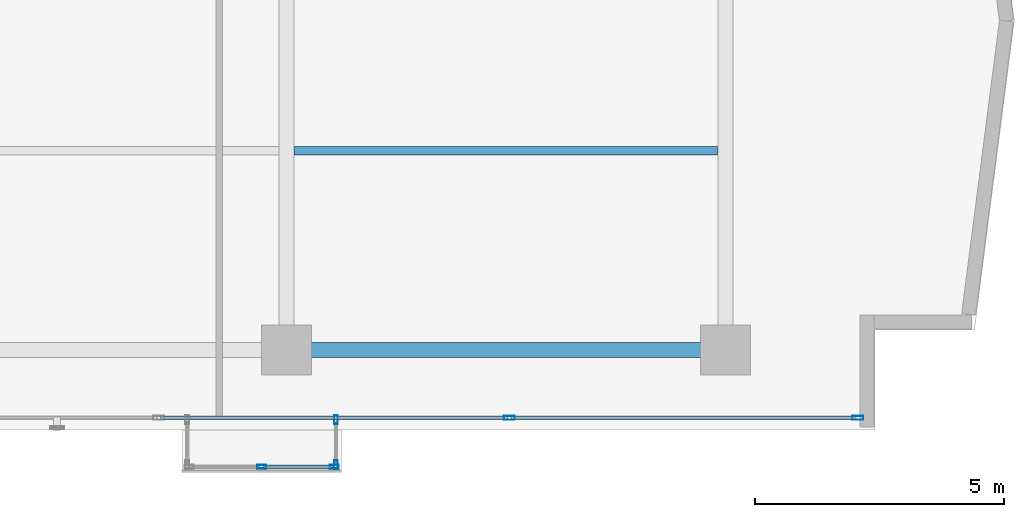
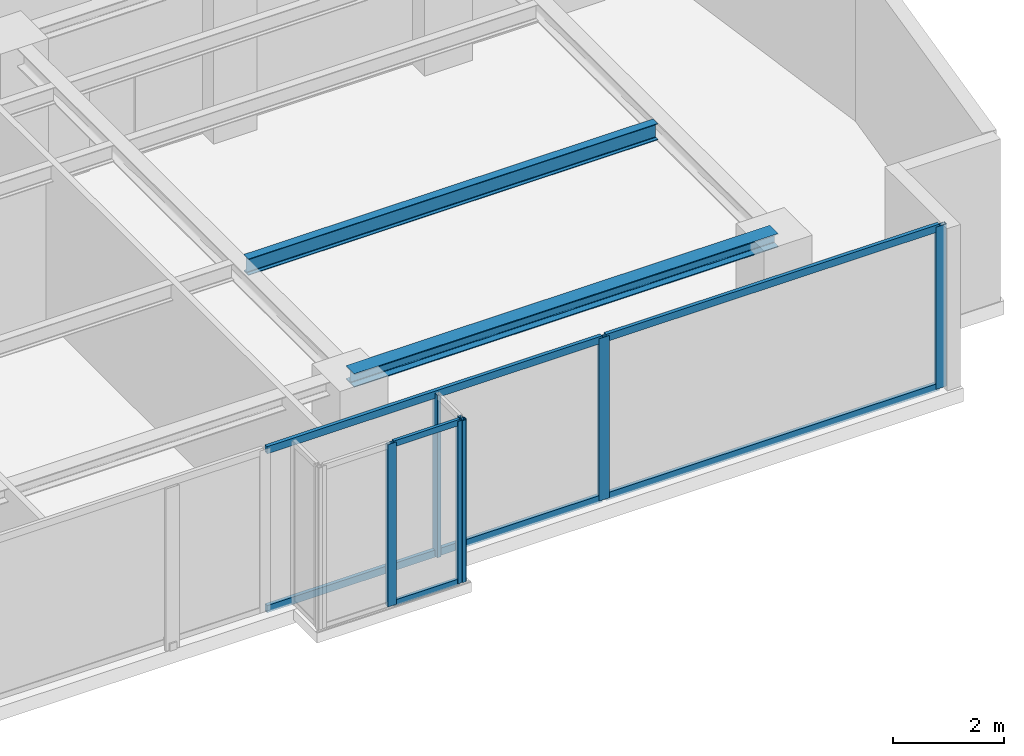
# One storey, part 11 of 25: 12 members, 2 beams, 3 elements without a shape of their own.
"""IFC4 building model written with IfcOpenShell, lengths in metres."""

from ifc_helpers import new_model, si_unit, direction, frame, origin, origin_with_axes, origin_2d, place, context, subcontext, project, spatial, hollow_rectangle, i_section, extrude, source, transform, mapped, material, layer, layer_set, material_profile, profile_set, type_object, element, aggregate, save


model = new_model("IFC4")

# Units and contexts
model_context = context("Model", 3, precision=1e-05, world=origin(), true_north=direction((0.0, 1.0)))
body_context = subcontext(model_context, "Body", "Model", "MODEL_VIEW")
ifc_project = project(units=[si_unit("LENGTHUNIT", "METRE"), si_unit("AREAUNIT", "SQUARE_METRE"), si_unit("VOLUMEUNIT", "CUBIC_METRE"), si_unit("PLANEANGLEUNIT", "RADIAN"), si_unit("MASSUNIT", "GRAM", prefix="KILO")], contexts=[model_context])

# Site, building, storey
site_placement = place(None, origin())
site = spatial("IfcSite", under=ifc_project, at=site_placement, CompositionType="ELEMENT")
building_placement = place(site_placement, origin())
building = spatial("IfcBuilding", under=site, at=building_placement, Name="Kolvaren Waterfront Exchange", CompositionType="ELEMENT")
storey_placement = place(building_placement, frame((0.0, 0.0, 223.5)))
storey = spatial("IfcBuildingStorey", under=building, at=storey_placement, Name="L57", CompositionType="ELEMENT", Elevation=223.5)

# Beams
ifc_material_1 = material(Name="Steel S355", Category="steel")
ifc_material_profile_1 = material_profile(ifc_material_1, i_section(OverallWidth=0.300048828125, OverallDepth=0.300048828125, WebThickness=0.010986328125, FlangeThickness=0.01904296875, FilletRadius=0.027099609375, at=origin_2d()), Name="HEB300")
ifc_profile_set_1 = profile_set([ifc_material_profile_1], Name="Steel S355")
beam_type_1 = type_object("IfcBeamType", Name="STR-BM-HEB300", PredefinedType="SPANDREL", material=ifc_profile_set_1)
beam_1_placement = place(storey_placement, frame((36.800048828125, 5.199951171875, 3.409912109375), z_axis=(1.0, 0.0, 0.0), x_axis=(0.0, 1.0, 0.0)))
element("IfcBeam", 1, at=beam_1_placement, inside=storey, type_object=beam_type_1, Name="L57 east-arm spandrel S3", PredefinedType="SPANDREL", context=body_context, shape_type="SweptSolid", body=[
    extrude(i_section(OverallWidth=0.300048828125, OverallDepth=0.300048828125, WebThickness=0.010986328125, FlangeThickness=0.01904296875, FilletRadius=0.027099609375, at=origin_2d()), origin(), (0.0, 0.0, 1.0), 8.800048828125),
])
ifc_material_profile_2 = material_profile(ifc_material_1, i_section(OverallWidth=0.169921875, OverallDepth=0.360107421875, WebThickness=0.008056640625, FlangeThickness=0.0126953125, FilletRadius=0.01806640625, at=origin_2d()), Name="IPE360")
ifc_profile_set_2 = profile_set([ifc_material_profile_2], Name="Steel S355")
beam_type_2 = type_object("IfcBeamType", Name="STR-BM-IPE360", PredefinedType="JOIST", material=ifc_profile_set_2)
beam_2_placement = place(storey_placement, frame((36.951904296875, 9.199951171875, 3.3798828125), z_axis=(1.0, 0.0, 0.0), x_axis=(0.0, 1.0, 0.0)))
element("IfcBeam", 2, at=beam_2_placement, inside=storey, type_object=beam_type_2, Name="L57 east-arm composite joist 3B", PredefinedType="JOIST", context=body_context, shape_type="SweptSolid", body=[
    extrude(i_section(OverallWidth=0.169921875, OverallDepth=0.360107421875, WebThickness=0.008056640625, FlangeThickness=0.0126953125, FilletRadius=0.01806640625, at=origin_2d()), origin(), (0.0, 0.0, 1.0), 8.49609375),
])

# Curtain wall, members
ifc_material_2 = material(Name="Anodised bronze aluminium 6063-T6", Category="aluminium")
ifc_layer_1 = layer(ifc_material_2, 0.219970703125, Name="Anodised bronze aluminium 6063-T6")
ifc_layer_set_1 = layer_set([ifc_layer_1], Name="Anodised bronze aluminium 6063-T6")
curtain_wall_type_1 = type_object("IfcCurtainWallType", Name="ARC-CW-SYS3", PredefinedType="USERDEFINED", material=ifc_layer_set_1)
curtain_wall_1_placement = place(storey_placement, origin())
curtain_wall_1 = element("IfcCurtainWall", 3, at=curtain_wall_1_placement, inside=storey, type_object=curtain_wall_type_1, Name="L57 stick curtain wall CW3 (CW-L57-BOX)", ObjectType="STICK CURTAIN WALL", PredefinedType="USERDEFINED")
ifc_material_profile_3 = material_profile(ifc_material_2, hollow_rectangle(XDim=0.06494140625, YDim=0.1298828125, WallThickness=0.00390625, at=origin_2d()), Name="ALU-TRN-130x65x4")
ifc_profile_set_3 = profile_set([ifc_material_profile_3], Name="Anodised bronze aluminium 6063-T6")
member_type_1 = type_object("IfcMemberType", Name="ARC-CWT-130", PredefinedType="USERDEFINED", material=ifc_profile_set_3)
shared_shape_1 = source(origin_with_axes(), body_context, "Body", "SweptSolid", [
    extrude(hollow_rectangle(XDim=0.06494140625, YDim=0.1298828125, WallThickness=0.00390625, at=origin_2d()), origin(), (0.0, 0.0, 1.0), 1.377685546875),
])
member_1_placement = place(storey_placement, frame((36.33740234375, 2.860107421875, 0.032470703125), z_axis=(1.0, 0.0, 0.0), x_axis=(0.0, 1.0, 0.0)))
member_1 = element("IfcMember", 4, at=member_1_placement, type_object=member_type_1, Name="CW3 transom 2.1", ObjectType="TRANSOM", PredefinedType="USERDEFINED", context=body_context, shape_type="MappedRepresentation", body=[
    mapped(shared_shape_1, transform((0.0, 0.0, 0.0), x_axis=(1.0, 0.0, 0.0), y_axis=(0.0, 1.0, 0.0), z_axis=(0.0, 0.0, 1.0), scale=1.0)),
])
member_2_placement = place(storey_placement, frame((36.33740234375, 2.860107421875, 3.527587890625), z_axis=(1.0, 0.0, 0.0), x_axis=(0.0, 1.0, 0.0)))
member_2 = element("IfcMember", 5, at=member_2_placement, type_object=member_type_1, Name="CW3 transom 2.2", ObjectType="TRANSOM", PredefinedType="USERDEFINED", context=body_context, shape_type="MappedRepresentation", body=[
    mapped(shared_shape_1, transform((0.0, 0.0, 0.0), x_axis=(1.0, 0.0, 0.0), y_axis=(0.0, 1.0, 0.0), z_axis=(0.0, 0.0, 1.0), scale=1.0)),
])
ifc_material_profile_4 = material_profile(ifc_material_2, hollow_rectangle(XDim=0.074951171875, YDim=0.179931640625, WallThickness=0.00439453125, at=origin_2d()), Name="ALU-MUL-180x75x4.5")
ifc_profile_set_4 = profile_set([ifc_material_profile_4], Name="Anodised bronze aluminium 6063-T6")
member_type_2 = type_object("IfcMemberType", Name="ARC-CWM-180", PredefinedType="MULLION", material=ifc_profile_set_4)
shared_shape_2 = source(origin_with_axes(), body_context, "Body", "SweptSolid", [
    extrude(hollow_rectangle(XDim=0.074951171875, YDim=0.179931640625, WallThickness=0.00439453125, at=origin_2d()), origin(), (0.0, 0.0, 1.0), 3.56005859375),
])
member_3_placement = place(storey_placement, frame((36.300048828125, 2.860107421875, 0.0), z_axis=(0.0, 0.0, 1.0), x_axis=(0.0, 1.0, 0.0)))
member_3 = element("IfcMember", 6, at=member_3_placement, type_object=member_type_2, Name="CW3 mullion 2", PredefinedType="MULLION", context=body_context, shape_type="MappedRepresentation", body=[
    mapped(shared_shape_2, transform((0.0, 0.0, 0.0), x_axis=(1.0, 0.0, 0.0), y_axis=(0.0, 1.0, 0.0), z_axis=(0.0, 0.0, 1.0), scale=1.0)),
])
member_4_placement = place(storey_placement, frame((37.75244140625, 2.860107421875, 0.0), z_axis=(0.0, 0.0, 1.0), x_axis=(0.0, 1.0, 0.0)))
member_4 = element("IfcMember", 7, at=member_4_placement, type_object=member_type_2, Name="CW3 mullion 3", PredefinedType="MULLION", context=body_context, shape_type="MappedRepresentation", body=[
    mapped(shared_shape_2, transform((0.0, 0.0, 0.0), x_axis=(1.0, 0.0, 0.0), y_axis=(0.0, 1.0, 0.0), z_axis=(0.0, 0.0, 1.0), scale=1.0)),
])
aggregate(curtain_wall_1, [member_3, member_4, member_1, member_2])

curtain_wall_2_placement = place(storey_placement, origin())
curtain_wall_2 = element("IfcCurtainWall", 8, at=curtain_wall_2_placement, inside=storey, type_object=curtain_wall_type_1, Name="L57 stick curtain wall CW3 (CW-L57-BOX-E)", ObjectType="STICK CURTAIN WALL", PredefinedType="USERDEFINED")
member_5_placement = place(storey_placement, frame((37.7900390625, 2.8974609375, 0.0), z_axis=(0.0, 0.0, 1.0), x_axis=(-1.0, 0.0, 0.0)))
member_5 = element("IfcMember", 9, at=member_5_placement, type_object=member_type_2, Name="CW3 mullion 1", PredefinedType="MULLION", context=body_context, shape_type="MappedRepresentation", body=[
    mapped(shared_shape_2, transform((0.0, 0.0, 0.0), x_axis=(1.0, 0.0, 0.0), y_axis=(0.0, 1.0, 0.0), z_axis=(0.0, 0.0, 1.0), scale=1.0)),
])
member_6_placement = place(storey_placement, frame((37.7900390625, 3.802490234375, 0.0), z_axis=(0.0, 0.0, 1.0), x_axis=(-1.0, 0.0, 0.0)))
member_6 = element("IfcMember", 10, at=member_6_placement, type_object=member_type_2, Name="CW3 mullion 2", PredefinedType="MULLION", context=body_context, shape_type="MappedRepresentation", body=[
    mapped(shared_shape_2, transform((0.0, 0.0, 0.0), x_axis=(1.0, 0.0, 0.0), y_axis=(0.0, 1.0, 0.0), z_axis=(0.0, 0.0, 1.0), scale=1.0)),
])
aggregate(curtain_wall_2, [member_5, member_6])

ifc_layer_2 = layer(ifc_material_2, 0.219970703125, Name="Anodised bronze aluminium 6063-T6")
ifc_layer_set_2 = layer_set([ifc_layer_2], Name="Anodised bronze aluminium 6063-T6")
curtain_wall_type_2 = type_object("IfcCurtainWallType", Name="ARC-CW-SYS4", PredefinedType="USERDEFINED", material=ifc_layer_set_2)
curtain_wall_3_placement = place(storey_placement, origin())
curtain_wall_3 = element("IfcCurtainWall", 11, at=curtain_wall_3_placement, inside=storey, type_object=curtain_wall_type_2, Name="L57 stick curtain wall CW4 (CW-L57-S)", ObjectType="STICK CURTAIN WALL", PredefinedType="USERDEFINED")
ifc_material_3 = material(Name="Anodised aluminium 6063-T6", Category="aluminium")
ifc_material_profile_5 = material_profile(ifc_material_3, hollow_rectangle(XDim=0.080078125, YDim=0.219970703125, WallThickness=0.0048828125, at=origin_2d()), Name="ALU-MUL-220x80x5")
ifc_profile_set_5 = profile_set([ifc_material_profile_5], Name="Anodised aluminium 6063-T6")
member_type_3 = type_object("IfcMemberType", Name="ARC-CWM-220", PredefinedType="MULLION", material=ifc_profile_set_5)
shared_shape_3 = source(origin_with_axes(), body_context, "Body", "SweptSolid", [
    extrude(hollow_rectangle(XDim=0.080078125, YDim=0.219970703125, WallThickness=0.0048828125, at=origin_2d()), origin(), (0.0, 0.0, 1.0), 3.56005859375),
])
member_7_placement = place(storey_placement, frame((41.2666015625, 3.840087890625, 0.0), z_axis=(0.0, 0.0, 1.0), x_axis=(0.0, 1.0, 0.0)))
member_7 = element("IfcMember", 12, at=member_7_placement, type_object=member_type_3, Name="CW4 mullion 6", PredefinedType="MULLION", context=body_context, shape_type="MappedRepresentation", body=[
    mapped(shared_shape_3, transform((0.0, 0.0, 0.0), x_axis=(1.0, 0.0, 0.0), y_axis=(0.0, 1.0, 0.0), z_axis=(0.0, 0.0, 1.0), scale=1.0)),
])
member_8_placement = place(storey_placement, frame((48.260009765625, 3.840087890625, 0.0), z_axis=(0.0, 0.0, 1.0), x_axis=(0.0, 1.0, 0.0)))
member_8 = element("IfcMember", 13, at=member_8_placement, type_object=member_type_3, Name="CW4 mullion 7", PredefinedType="MULLION", context=body_context, shape_type="MappedRepresentation", body=[
    mapped(shared_shape_3, transform((0.0, 0.0, 0.0), x_axis=(1.0, 0.0, 0.0), y_axis=(0.0, 1.0, 0.0), z_axis=(0.0, 0.0, 1.0), scale=1.0)),
])
ifc_material_profile_6 = material_profile(ifc_material_3, hollow_rectangle(XDim=0.074951171875, YDim=0.159912109375, WallThickness=0.00439453125, at=origin_2d()), Name="ALU-TRN-160x75x4.5")
ifc_profile_set_6 = profile_set([ifc_material_profile_6], Name="Anodised aluminium 6063-T6")
member_type_4 = type_object("IfcMemberType", Name="ARC-CWT-160", PredefinedType="USERDEFINED", material=ifc_profile_set_6)
shared_shape_4 = source(origin_with_axes(), body_context, "Body", "SweptSolid", [
    extrude(hollow_rectangle(XDim=0.074951171875, YDim=0.159912109375, WallThickness=0.00439453125, at=origin_2d()), origin(), (0.0, 0.0, 1.0), 6.913330078125),
])
member_9_placement = place(storey_placement, frame((41.306640625, 3.840087890625, 0.03759765625), z_axis=(1.0, 0.0, 0.0), x_axis=(0.0, 1.0, 0.0)))
member_9 = element("IfcMember", 14, at=member_9_placement, type_object=member_type_4, Name="CW4 transom 6.1", ObjectType="TRANSOM", PredefinedType="USERDEFINED", context=body_context, shape_type="MappedRepresentation", body=[
    mapped(shared_shape_4, transform((0.0, 0.0, 0.0), x_axis=(1.0, 0.0, 0.0), y_axis=(0.0, 1.0, 0.0), z_axis=(0.0, 0.0, 1.0), scale=1.0)),
])
member_10_placement = place(storey_placement, frame((41.306640625, 3.840087890625, 3.5224609375), z_axis=(1.0, 0.0, 0.0), x_axis=(0.0, 1.0, 0.0)))
member_10 = element("IfcMember", 15, at=member_10_placement, type_object=member_type_4, Name="CW4 transom 6.2", ObjectType="TRANSOM", PredefinedType="USERDEFINED", context=body_context, shape_type="MappedRepresentation", body=[
    mapped(shared_shape_4, transform((0.0, 0.0, 0.0), x_axis=(1.0, 0.0, 0.0), y_axis=(0.0, 1.0, 0.0), z_axis=(0.0, 0.0, 1.0), scale=1.0)),
])
shared_shape_5 = source(origin_with_axes(), body_context, "Body", "SweptSolid", [
    extrude(hollow_rectangle(XDim=0.074951171875, YDim=0.159912109375, WallThickness=0.00439453125, at=origin_2d()), origin(), (0.0, 0.0, 1.0), 6.953125),
])
member_11_placement = place(storey_placement, frame((34.2734375, 3.840087890625, 0.03759765625), z_axis=(1.0, 0.0, 0.0), x_axis=(0.0, 1.0, 0.0)))
member_11 = element("IfcMember", 16, at=member_11_placement, type_object=member_type_4, Name="CW4 transom 5.1", ObjectType="TRANSOM", PredefinedType="USERDEFINED", context=body_context, shape_type="MappedRepresentation", body=[
    mapped(shared_shape_5, transform((0.0, 0.0, 0.0), x_axis=(1.0, 0.0, 0.0), y_axis=(0.0, 1.0, 0.0), z_axis=(0.0, 0.0, 1.0), scale=1.0)),
])
member_12_placement = place(storey_placement, frame((34.2734375, 3.840087890625, 3.5224609375), z_axis=(1.0, 0.0, 0.0), x_axis=(0.0, 1.0, 0.0)))
member_12 = element("IfcMember", 17, at=member_12_placement, type_object=member_type_4, Name="CW4 transom 5.2", ObjectType="TRANSOM", PredefinedType="USERDEFINED", context=body_context, shape_type="MappedRepresentation", body=[
    mapped(shared_shape_5, transform((0.0, 0.0, 0.0), x_axis=(1.0, 0.0, 0.0), y_axis=(0.0, 1.0, 0.0), z_axis=(0.0, 0.0, 1.0), scale=1.0)),
])
aggregate(curtain_wall_3, [member_7, member_8, member_11, member_12, member_9, member_10])

save(model, "model.ifc")
